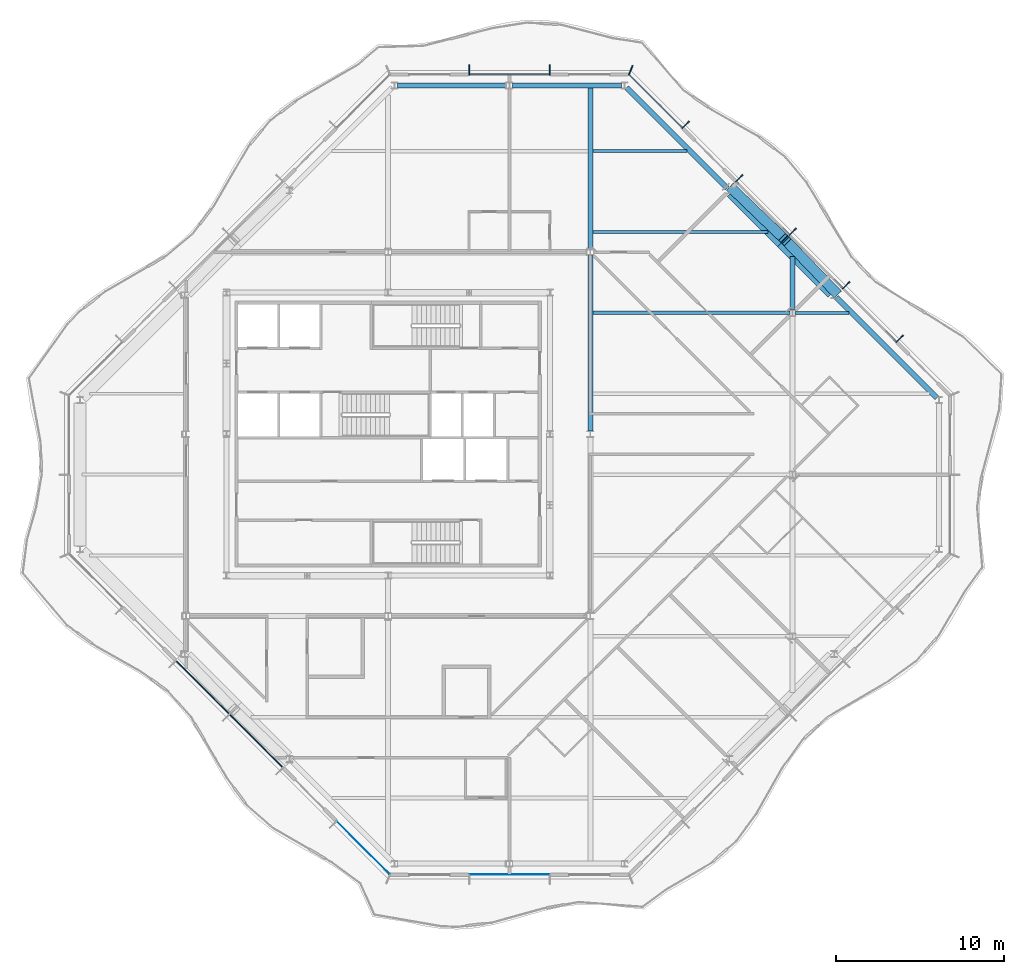
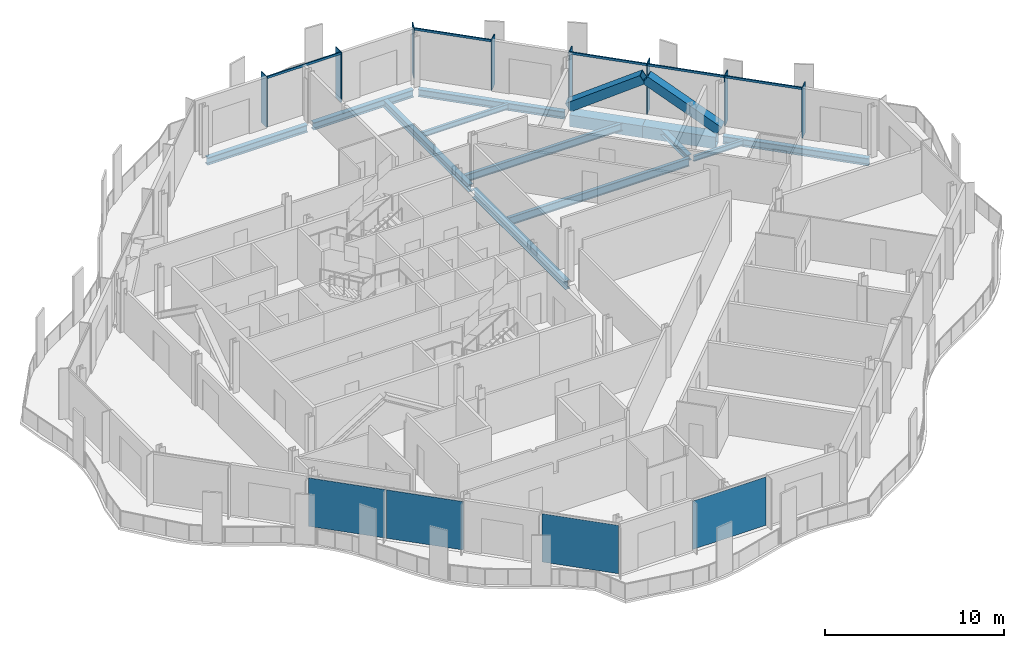
# One storey, part 5 of 17: 15 members, 13 beams, 4 plates, 4 elements without a shape of their own.
"""IFC4 building model written with IfcOpenShell, lengths in metres."""

from ifc_helpers import new_model, si_unit, direction, frame, origin, origin_2d, place, context, subcontext, project, spatial, rectangle, hollow_rectangle, i_section, extrude, material, layer, layer_set, material_profile, profile_set, type_object, element, aggregate, save


model = new_model("IFC4")

# Units and contexts
model_context = context("Model", 3, precision=1e-05, world=origin(), true_north=direction((0.0, 1.0)))
body_context = subcontext(model_context, "Body", "Model", "MODEL_VIEW")
ifc_project = project(units=[si_unit("LENGTHUNIT", "METRE"), si_unit("AREAUNIT", "SQUARE_METRE"), si_unit("VOLUMEUNIT", "CUBIC_METRE"), si_unit("PLANEANGLEUNIT", "RADIAN"), si_unit("MASSUNIT", "GRAM", prefix="KILO")], contexts=[model_context])

# Site, building, storey
site_placement = place(None, origin())
site = spatial("IfcSite", under=ifc_project, at=site_placement, CompositionType="ELEMENT")
building_placement = place(site_placement, origin())
building = spatial("IfcBuilding", under=site, at=building_placement, Name="Cairn Pilgrim Tower", CompositionType="ELEMENT")
storey_placement = place(building_placement, frame((0.0, 0.0, 281.39990234375)))
storey = spatial("IfcBuildingStorey", under=building, at=storey_placement, Name="L72", CompositionType="ELEMENT", Elevation=281.39990234375)

# Members
ifc_material_1 = material(Name="Structural steel S460M", Category="steel")
ifc_material_profile_1 = material_profile(ifc_material_1, hollow_rectangle(XDim=0.60009765625, YDim=0.60009765625, WallThickness=0.034912109375, at=origin_2d()), Name="BOX 600x600x35")
ifc_profile_set_1 = profile_set([ifc_material_profile_1], Name="Structural steel S460M")
member_type_1 = type_object("IfcMemberType", Name="BOX 600x600x35 BRACE", PredefinedType="BRACE", material=ifc_profile_set_1)
member_1_placement = place(storey_placement, frame((33.78759765625, 10.80224609375, 0.150146484375), z_axis=(-0.59145268268, 0.613693939549, 0.523032955665), x_axis=(-0.720033989027, -0.693938797478, 0.0)))
element("IfcMember", 1, at=member_1_placement, inside=storey, type_object=member_type_1, Name="XB-NE2-NE3-1", PredefinedType="BRACE", context=body_context, shape_type="SweptSolid", body=[
    extrude(hollow_rectangle(XDim=0.60009765625, YDim=0.60009765625, WallThickness=0.034912109375, at=origin_2d()), origin(), (0.0, 0.0, 1.0), 5.038330078125),
])
member_2_placement = place(storey_placement, frame((27.602294921875, 16.98779296875, 0.150146484375), z_axis=(0.613676351503, -0.591484186561, 0.5230179659), x_axis=(0.693968270733, 0.720005582767, 0.0)))
element("IfcMember", 2, at=member_2_placement, inside=storey, type_object=member_type_1, Name="XB-NE2-NE3-2", PredefinedType="BRACE", context=body_context, shape_type="SweptSolid", body=[
    extrude(hollow_rectangle(XDim=0.60009765625, YDim=0.60009765625, WallThickness=0.034912109375, at=origin_2d()), origin(), (0.0, 0.0, 1.0), 5.03857421875),
])

# Beams
ifc_material_2 = material(Name="Structural steel S355J2", Category="steel")
ifc_material_profile_2 = material_profile(ifc_material_2, hollow_rectangle(XDim=0.699951171875, YDim=0.800048828125, WallThickness=0.0400390625, at=origin_2d()), Name="BOX 700x800x40")
ifc_profile_set_2 = profile_set([ifc_material_profile_2], Name="Structural steel S355J2")
beam_type_1 = type_object("IfcBeamType", Name="BOX 700x800x40 RING GIRDER", PredefinedType="SPANDREL", material=ifc_profile_set_2)
for number, where, z_axis, x_axis, name in (
    (3, (33.55126953125, 10.77587890625, -0.5498046875), (-0.707077889614, 0.707135671578, 0.0), (-0.707135671578, -0.707077889614, 0.0), "RG4-NE2-NE3-1"),
    (4, (30.563720703125, 13.763671875, -0.5498046875), (-0.707135671578, 0.707077889614, 0.0), (-0.707077889614, -0.707135671578, 0.0), "RG4-NE2-NE3-2"),
):
    element("IfcBeam", number, at=place(storey_placement, frame(where, z_axis=z_axis, x_axis=x_axis)), inside=storey, type_object=beam_type_1, Name=name, PredefinedType="SPANDREL", context=body_context, shape_type="SweptSolid", body=[
        extrude(hollow_rectangle(XDim=0.699951171875, YDim=0.800048828125, WallThickness=0.0400390625, at=origin_2d()), origin(), (0.0, 0.0, 1.0), 4.22509765625),
    ])

# Curtain wall, members
ifc_material_3 = material(Name="Aluminium alloy 6063-T6 bronze anodised with Bronze tinted laminated low-E glass 8+16+8.8", Category="aluminium")
curtain_wall_type = type_object("IfcCurtainWallType", Name="CROWN CURTAIN WALL", PredefinedType="NOTDEFINED", material=ifc_material_3)
curtain_wall_1_placement = place(storey_placement, origin())
curtain_wall_1 = element("IfcCurtainWall", 5, at=curtain_wall_1_placement, inside=storey, type_object=curtain_wall_type, Name="Crown Curtain Wall NE", PredefinedType="NOTDEFINED")
ifc_material_4 = material(Name="Aluminium alloy 6063-T6 bronze anodised", Category="aluminium")
ifc_material_profile_3 = material_profile(ifc_material_4, rectangle(XDim=0.60009765625, YDim=0.06005859375, at=origin_2d()), Name="FIN MULLION 60x600 BRONZE")
ifc_profile_set_3 = profile_set([ifc_material_profile_3], Name="Aluminium alloy 6063-T6 bronze anodised")
member_type_2 = type_object("IfcMemberType", Name="FIN MULLION 60x600 BRONZE", PredefinedType="MULLION", material=ifc_profile_set_3)
member_3_placement = place(storey_placement, frame((37.5654296875, 8.06298828125, 0.0), z_axis=(0.0, 0.0, 1.0), x_axis=(0.707106781187, 0.707106781187, 0.0)))
member_3 = element("IfcMember", 6, at=member_3_placement, type_object=member_type_2, Name="Fin mullion NE2", PredefinedType="MULLION", context=body_context, shape_type="SweptSolid", body=[
    extrude(rectangle(XDim=0.60009765625, YDim=0.06005859375, at=origin_2d()), origin(), (0.0, 0.0, 1.0), 3.4501953125),
])
member_4_placement = place(storey_placement, frame((34.3896484375, 11.238525390625, 0.0), z_axis=(0.0, 0.0, 1.0), x_axis=(0.707106781187, 0.707106781187, 0.0)))
member_4 = element("IfcMember", 7, at=member_4_placement, type_object=member_type_2, Name="Fin mullion NE3", PredefinedType="MULLION", context=body_context, shape_type="SweptSolid", body=[
    extrude(rectangle(XDim=0.60009765625, YDim=0.06005859375, at=origin_2d()), origin(), (0.0, 0.0, 1.0), 3.4501953125),
])
member_5_placement = place(storey_placement, frame((31.214111328125, 14.4140625, 0.0), z_axis=(0.0, 0.0, 1.0), x_axis=(0.707106781187, 0.707106781187, 0.0)))
member_5 = element("IfcMember", 8, at=member_5_placement, type_object=member_type_2, Name="Fin mullion NE4", PredefinedType="MULLION", context=body_context, shape_type="SweptSolid", body=[
    extrude(rectangle(XDim=0.60009765625, YDim=0.06005859375, at=origin_2d()), origin(), (0.0, 0.0, 1.0), 3.4501953125),
])
member_6_placement = place(storey_placement, frame((28.03857421875, 17.58984375, 0.0), z_axis=(0.0, 0.0, 1.0), x_axis=(0.707106781187, 0.707106781187, 0.0)))
member_6 = element("IfcMember", 9, at=member_6_placement, type_object=member_type_2, Name="Fin mullion NE5", PredefinedType="MULLION", context=body_context, shape_type="SweptSolid", body=[
    extrude(rectangle(XDim=0.60009765625, YDim=0.06005859375, at=origin_2d()), origin(), (0.0, 0.0, 1.0), 3.4501953125),
])
member_7_placement = place(storey_placement, frame((24.863037109375, 20.765380859375, 0.0), z_axis=(0.0, 0.0, 1.0), x_axis=(0.707106781187, 0.707106781187, 0.0)))
member_7 = element("IfcMember", 10, at=member_7_placement, type_object=member_type_2, Name="Fin mullion NE6", PredefinedType="MULLION", context=body_context, shape_type="SweptSolid", body=[
    extrude(rectangle(XDim=0.60009765625, YDim=0.06005859375, at=origin_2d()), origin(), (0.0, 0.0, 1.0), 3.4501953125),
])

curtain_wall_2_placement = place(storey_placement, origin())
curtain_wall_2 = element("IfcCurtainWall", 11, at=curtain_wall_2_placement, inside=storey, type_object=curtain_wall_type, Name="Crown Curtain Wall N", PredefinedType="NOTDEFINED")
member_8_placement = place(storey_placement, frame((21.599853515625, 23.99951171875, 0.0), z_axis=(0.0, 0.0, 1.0), x_axis=(0.382683432365, 0.923879532511, 0.0)))
member_8 = element("IfcMember", 12, at=member_8_placement, type_object=member_type_2, Name="Fin mullion N1", PredefinedType="MULLION", context=body_context, shape_type="SweptSolid", body=[
    extrude(rectangle(XDim=0.60009765625, YDim=0.06005859375, at=origin_2d()), origin(), (0.0, 0.0, 1.0), 3.4501953125),
])
member_9_placement = place(storey_placement, frame((16.800048828125, 24.02001953125, 0.0), z_axis=(0.0, 0.0, 1.0), x_axis=(0.0, 1.0, 0.0)))
member_9 = element("IfcMember", 13, at=member_9_placement, type_object=member_type_2, Name="Fin mullion N2", PredefinedType="MULLION", context=body_context, shape_type="SweptSolid", body=[
    extrude(rectangle(XDim=0.60009765625, YDim=0.06005859375, at=origin_2d()), origin(), (0.0, 0.0, 1.0), 3.4501953125),
])
member_10_placement = place(storey_placement, frame((12.0, 24.02001953125, 0.0), z_axis=(0.0, 0.0, 1.0), x_axis=(0.0, 1.0, 0.0)))
member_10 = element("IfcMember", 14, at=member_10_placement, type_object=member_type_2, Name="Fin mullion N3", PredefinedType="MULLION", context=body_context, shape_type="SweptSolid", body=[
    extrude(rectangle(XDim=0.60009765625, YDim=0.06005859375, at=origin_2d()), origin(), (0.0, 0.0, 1.0), 3.4501953125),
])

# Beams
ifc_material_profile_4 = material_profile(ifc_material_2, i_section(OverallWidth=0.300048828125, OverallDepth=0.39990234375, WebThickness=0.013427734375, FlangeThickness=0.02392578125, FilletRadius=0.027099609375, at=origin_2d()), Name="HEB 400")
ifc_profile_set_4 = profile_set([ifc_material_profile_4], Name="Structural steel S355J2")
beam_type_2 = type_object("IfcBeamType", Name="HEB 400 GIRDER", PredefinedType="BEAM", material=ifc_profile_set_4)
beam_1_placement = place(storey_placement, frame((31.199951171875, 9.797119140625, -0.349853515625), z_axis=(0.0, 1.0, 0.0), x_axis=(-1.0, 0.0, 0.0)))
element("IfcBeam", 15, at=beam_1_placement, inside=storey, type_object=beam_type_2, Name="PG5-4", PredefinedType="BEAM", context=body_context, shape_type="SweptSolid", body=[
    extrude(i_section(OverallWidth=0.300048828125, OverallDepth=0.39990234375, WebThickness=0.013427734375, FlangeThickness=0.02392578125, FilletRadius=0.027099609375, at=origin_2d()), origin(), (0.0, 0.0, 1.0), 3.14794921875),
])
ifc_material_profile_5 = material_profile(ifc_material_2, i_section(OverallWidth=0.300048828125, OverallDepth=0.5, WebThickness=0.014404296875, FlangeThickness=0.028076171875, FilletRadius=0.027099609375, at=origin_2d()), Name="HEB 500")
ifc_profile_set_5 = profile_set([ifc_material_profile_5], Name="Structural steel S355J2")
beam_type_3 = type_object("IfcBeamType", Name="HEB 500 GIRDER", PredefinedType="BEAM", material=ifc_profile_set_5)
beam_2_placement = place(storey_placement, frame((19.199951171875, 13.39697265625, -0.39990234375), z_axis=(0.0, 1.0, 0.0), x_axis=(-1.0, 0.0, 0.0)))
element("IfcBeam", 16, at=beam_2_placement, inside=storey, type_object=beam_type_3, Name="PG4-4", PredefinedType="BEAM", context=body_context, shape_type="SweptSolid", body=[
    extrude(i_section(OverallWidth=0.300048828125, OverallDepth=0.5, WebThickness=0.014404296875, FlangeThickness=0.028076171875, FilletRadius=0.027099609375, at=origin_2d()), origin(), (0.0, 0.0, 1.0), 9.5830078125),
])
ifc_material_profile_6 = material_profile(ifc_material_2, i_section(OverallWidth=0.300048828125, OverallDepth=0.5, WebThickness=0.014404296875, FlangeThickness=0.028076171875, FilletRadius=0.027099609375, at=origin_2d()), Name="HEB 500")
ifc_profile_set_6 = profile_set([ifc_material_profile_6], Name="Structural steel S355J2")
beam_type_4 = type_object("IfcBeamType", Name="HEB 500 RING GIRDER", PredefinedType="SPANDREL", material=ifc_profile_set_6)
for number, where, z_axis, x_axis, name in (
    (17, (39.775634765625, 4.551513671875, -0.39990234375), (-0.707092335843, 0.707121226235, 0.0), (-0.707121226235, -0.707092335843, 0.0), "RG4-NE1-NE2"),
    (18, (27.3271484375, 17.000244140625, -0.39990234375), (-0.707121226235, 0.707092335843, 0.0), (-0.707092335843, -0.707121226235, 0.0), "RG4-NE3-N1"),
):
    element("IfcBeam", number, at=place(storey_placement, frame(where, z_axis=z_axis, x_axis=x_axis)), inside=storey, type_object=beam_type_4, Name=name, PredefinedType="SPANDREL", context=body_context, shape_type="SweptSolid", body=[
        extrude(i_section(OverallWidth=0.300048828125, OverallDepth=0.5, WebThickness=0.014404296875, FlangeThickness=0.028076171875, FilletRadius=0.027099609375, at=origin_2d()), origin(), (0.0, 0.0, 1.0), 8.45068359375),
    ])
for number, where, z_axis, x_axis, name in (
    (19, (21.05126953125, 23.10009765625, -0.39990234375), (-1.0, 0.0, 0.0), (0.0, -1.0, 0.0), "RG4-N1-N2"),
    (20, (14.22412109375, 23.10009765625, -0.39990234375), (-1.0, 0.0, 0.0), (0.0, -1.0, 0.0), "RG4-N2-NW1"),
):
    element("IfcBeam", number, at=place(storey_placement, frame(where, z_axis=z_axis, x_axis=x_axis)), inside=storey, type_object=beam_type_4, Name=name, PredefinedType="SPANDREL", context=body_context, shape_type="SweptSolid", body=[
        extrude(i_section(OverallWidth=0.300048828125, OverallDepth=0.5, WebThickness=0.014404296875, FlangeThickness=0.028076171875, FilletRadius=0.027099609375, at=origin_2d()), origin(), (0.0, 0.0, 1.0), 6.475341796875),
    ])
ifc_material_profile_7 = material_profile(ifc_material_2, i_section(OverallWidth=0.300048828125, OverallDepth=0.60009765625, WebThickness=0.015380859375, FlangeThickness=0.030029296875, FilletRadius=0.027099609375, at=origin_2d()), Name="HEB 600")
ifc_profile_set_7 = profile_set([ifc_material_profile_7], Name="Structural steel S355J2")
beam_type_5 = type_object("IfcBeamType", Name="HEB 600 GIRDER", PredefinedType="BEAM", material=ifc_profile_set_7)
beam_3_placement = place(storey_placement, frame((19.199951171875, 2.596923828125, -0.449951171875), z_axis=(0.0, 1.0, 0.0), x_axis=(-1.0, 0.0, 0.0)))
element("IfcBeam", 21, at=beam_3_placement, inside=storey, type_object=beam_type_5, Name="PG4-3", PredefinedType="BEAM", context=body_context, shape_type="SweptSolid", body=[
    extrude(i_section(OverallWidth=0.300048828125, OverallDepth=0.60009765625, WebThickness=0.015380859375, FlangeThickness=0.030029296875, FilletRadius=0.027099609375, at=origin_2d()), origin(), (0.0, 0.0, 1.0), 10.406005859375),
])
ifc_material_profile_8 = material_profile(ifc_material_2, i_section(OverallWidth=0.169921875, OverallDepth=0.360107421875, WebThickness=0.008056640625, FlangeThickness=0.0126953125, FilletRadius=0.01806640625, at=origin_2d()), Name="IPE 360")
ifc_profile_set_8 = profile_set([ifc_material_profile_8], Name="Structural steel S355J2")
beam_type_6 = type_object("IfcBeamType", Name="IPE 360 SECONDARY BEAM", PredefinedType="JOIST", material=ifc_profile_set_8)
beam_4_placement = place(storey_placement, frame((31.35009765625, 9.60009765625, -0.329833984375), z_axis=(1.0, 0.0, 0.0), x_axis=(0.0, 1.0, 0.0)))
element("IfcBeam", 22, at=beam_4_placement, inside=storey, type_object=beam_type_6, Name="SB7-2", PredefinedType="JOIST", context=body_context, shape_type="SweptSolid", body=[
    extrude(i_section(OverallWidth=0.169921875, OverallDepth=0.360107421875, WebThickness=0.008056640625, FlangeThickness=0.0126953125, FilletRadius=0.01806640625, at=origin_2d()), origin(), (0.0, 0.0, 1.0), 3.195068359375),
])
beam_5_placement = place(storey_placement, frame((19.35009765625, 19.199951171875, -0.329833984375), z_axis=(1.0, 0.0, 0.0), x_axis=(0.0, 1.0, 0.0)))
element("IfcBeam", 23, at=beam_5_placement, inside=storey, type_object=beam_type_6, Name="SB9-3", PredefinedType="JOIST", context=body_context, shape_type="SweptSolid", body=[
    extrude(i_section(OverallWidth=0.169921875, OverallDepth=0.360107421875, WebThickness=0.008056640625, FlangeThickness=0.0126953125, FilletRadius=0.01806640625, at=origin_2d()), origin(), (0.0, 0.0, 1.0), 5.594970703125),
])
ifc_material_profile_9 = material_profile(ifc_material_2, i_section(OverallWidth=0.199951171875, OverallDepth=0.5, WebThickness=0.01025390625, FlangeThickness=0.01611328125, FilletRadius=0.02099609375, at=origin_2d()), Name="IPE 500")
ifc_profile_set_9 = profile_set([ifc_material_profile_9], Name="Structural steel S355J2")
beam_type_7 = type_object("IfcBeamType", Name="IPE 500 SECONDARY BEAM", PredefinedType="JOIST", material=ifc_profile_set_9)
beam_6_placement = place(storey_placement, frame((19.35009765625, 14.39990234375, -0.39990234375), z_axis=(1.0, 0.0, 0.0), x_axis=(0.0, 1.0, 0.0)))
element("IfcBeam", 24, at=beam_6_placement, inside=storey, type_object=beam_type_7, Name="SB8-1", PredefinedType="JOIST", context=body_context, shape_type="SweptSolid", body=[
    extrude(i_section(OverallWidth=0.199951171875, OverallDepth=0.5, WebThickness=0.01025390625, FlangeThickness=0.01611328125, FilletRadius=0.02099609375, at=origin_2d()), origin(), (0.0, 0.0, 1.0), 10.39501953125),
])
ifc_material_profile_10 = material_profile(ifc_material_2, i_section(OverallWidth=0.2099609375, OverallDepth=0.550048828125, WebThickness=0.010986328125, FlangeThickness=0.01708984375, FilletRadius=0.02392578125, at=origin_2d()), Name="IPE 550")
ifc_profile_set_10 = profile_set([ifc_material_profile_10], Name="Structural steel S355J2")
beam_type_8 = type_object("IfcBeamType", Name="IPE 550 SECONDARY BEAM", PredefinedType="JOIST", material=ifc_profile_set_10)
beam_7_placement = place(storey_placement, frame((19.35009765625, 9.60009765625, -0.4248046875), z_axis=(1.0, 0.0, 0.0), x_axis=(0.0, 1.0, 0.0)))
element("IfcBeam", 25, at=beam_7_placement, inside=storey, type_object=beam_type_8, Name="SB7-1", PredefinedType="JOIST", context=body_context, shape_type="SweptSolid", body=[
    extrude(i_section(OverallWidth=0.2099609375, OverallDepth=0.550048828125, WebThickness=0.010986328125, FlangeThickness=0.01708984375, FilletRadius=0.02392578125, at=origin_2d()), origin(), (0.0, 0.0, 1.0), 11.699951171875),
])

# Member
ifc_material_profile_11 = material_profile(ifc_material_4, rectangle(XDim=0.080078125, YDim=0.14990234375, at=origin_2d()), Name="TRANSOM 80x150 BRONZE")
ifc_profile_set_11 = profile_set([ifc_material_profile_11], Name="Aluminium alloy 6063-T6 bronze anodised")
member_type_3 = type_object("IfcMemberType", Name="TRANSOM 80x150 BRONZE", PredefinedType="USERDEFINED", material=ifc_profile_set_11)
member_11_placement = place(storey_placement, frame((37.353271484375, 7.893310546875, 3.375), z_axis=(-0.707134329907, 0.707079231393, 0.0), x_axis=(-0.707079231393, -0.707134329907, 0.0)))
member_11 = element("IfcMember", 26, at=member_11_placement, type_object=member_type_3, Name="Transom NE2", ObjectType="TRANSOM", PredefinedType="USERDEFINED", context=body_context, shape_type="SweptSolid", body=[
    extrude(rectangle(XDim=0.080078125, YDim=0.14990234375, at=origin_2d()), origin(), (0.0, 0.0, 1.0), 4.430908203125),
])

member_12_placement = place(storey_placement, frame((34.177490234375, 11.06884765625, 3.375), z_axis=(-0.707106781187, 0.707106781187, 0.0), x_axis=(-0.707106781187, -0.707106781187, 0.0)))
member_12 = element("IfcMember", 27, at=member_12_placement, type_object=member_type_3, Name="Transom NE3", ObjectType="TRANSOM", PredefinedType="USERDEFINED", context=body_context, shape_type="SweptSolid", body=[
    extrude(rectangle(XDim=0.080078125, YDim=0.14990234375, at=origin_2d()), origin(), (0.0, 0.0, 1.0), 4.430908203125),
])

member_13_placement = place(storey_placement, frame((31.001953125, 14.244384765625, 3.375), z_axis=(-0.707079231393, 0.707134329907, 0.0), x_axis=(-0.707134329907, -0.707079231393, 0.0)))
member_13 = element("IfcMember", 28, at=member_13_placement, type_object=member_type_3, Name="Transom NE4", ObjectType="TRANSOM", PredefinedType="USERDEFINED", context=body_context, shape_type="SweptSolid", body=[
    extrude(rectangle(XDim=0.080078125, YDim=0.14990234375, at=origin_2d()), origin(), (0.0, 0.0, 1.0), 4.430908203125),
])

member_14_placement = place(storey_placement, frame((24.65087890625, 20.595703125, 3.375), z_axis=(-0.707134392299, 0.707079168996, 0.0), x_axis=(-0.707079168996, -0.707134392299, 0.0)))
member_14 = element("IfcMember", 29, at=member_14_placement, type_object=member_type_3, Name="Transom NE6", ObjectType="TRANSOM", PredefinedType="USERDEFINED", context=body_context, shape_type="SweptSolid", body=[
    extrude(rectangle(XDim=0.080078125, YDim=0.14990234375, at=origin_2d()), origin(), (0.0, 0.0, 1.0), 4.4208984375),
])

aggregate(curtain_wall_1, [member_3, member_4, member_5, member_6, member_7, member_11, member_12, member_13, member_14])

member_15_placement = place(storey_placement, frame((16.77001953125, 23.75, 3.375), z_axis=(-1.0, 0.0, 0.0), x_axis=(0.0, -1.0, 0.0)))
member_15 = element("IfcMember", 30, at=member_15_placement, type_object=member_type_3, Name="Transom N2", ObjectType="TRANSOM", PredefinedType="USERDEFINED", context=body_context, shape_type="SweptSolid", body=[
    extrude(rectangle(XDim=0.080078125, YDim=0.14990234375, at=origin_2d()), origin(), (0.0, 0.0, 1.0), 4.739990234375),
])

aggregate(curtain_wall_2, [member_8, member_9, member_10, member_15])

# Curtain wall, plates
curtain_wall_3_placement = place(storey_placement, origin())
curtain_wall_3 = element("IfcCurtainWall", 31, at=curtain_wall_3_placement, inside=storey, type_object=curtain_wall_type, Name="Crown Curtain Wall SW", PredefinedType="NOTDEFINED")
ifc_material_5 = material(Name="Bronze anodised aluminium spandrel panel with mineral wool insulation", Category="aluminium")
ifc_layer_1 = layer(ifc_material_5, 0.06005859375)
ifc_layer_set_1 = layer_set([ifc_layer_1], Name="SPANDREL PANEL 4431x3300")
plate_type_1 = type_object("IfcPlateType", Name="SPANDREL PANEL 4431x3300", PredefinedType="CURTAIN_PANEL", material=ifc_layer_set_1)
plate_1_placement = place(storey_placement, frame((-3.81103515625, -12.635498046875, 0.0), z_axis=(0.0, 0.0, 1.0), x_axis=(0.707106781187, -0.707106781187, 0.0)))
plate_1 = element("IfcPlate", 32, at=plate_1_placement, type_object=plate_type_1, Name="Spandrel Panel SW3-1", PredefinedType="CURTAIN_PANEL", context=body_context, shape_type="SweptSolid", body=[
    extrude(rectangle(XDim=4.430908203125, YDim=0.06005859375, at=origin_2d()), origin(), (0.0, 0.0, 1.0), 3.300048828125),
])
plate_2_placement = place(storey_placement, frame((-0.635498046875, -15.81103515625, 0.0), z_axis=(0.0, 0.0, 1.0), x_axis=(0.707106781187, -0.707106781187, 0.0)))
plate_2 = element("IfcPlate", 33, at=plate_2_placement, type_object=plate_type_1, Name="Spandrel Panel SW4-1", PredefinedType="CURTAIN_PANEL", context=body_context, shape_type="SweptSolid", body=[
    extrude(rectangle(XDim=4.430908203125, YDim=0.06005859375, at=origin_2d()), origin(), (0.0, 0.0, 1.0), 3.300048828125),
])
ifc_material_6 = material(Name="Bronze tinted laminated low-E glass 8+16+8.8", Category="glass")
ifc_layer_2 = layer(ifc_material_6, 0.033935546875)
ifc_layer_set_2 = layer_set([ifc_layer_2], Name="VISION GLAZING 4421x3300")
plate_type_2 = type_object("IfcPlateType", Name="VISION GLAZING 4421x3300", PredefinedType="CURTAIN_PANEL", material=ifc_layer_set_2)
plate_3_placement = place(storey_placement, frame((5.712158203125, -22.15869140625, 0.0), z_axis=(0.0, 0.0, 1.0), x_axis=(0.707106781187, -0.707106781187, 0.0)))
plate_3 = element("IfcPlate", 34, at=plate_3_placement, type_object=plate_type_2, Name="Vision Glazing SW6-1", PredefinedType="CURTAIN_PANEL", context=body_context, shape_type="SweptSolid", body=[
    extrude(rectangle(XDim=4.4208984375, YDim=0.033935546875, at=origin_2d()), origin(), (0.0, 0.0, 1.0), 3.300048828125),
])
aggregate(curtain_wall_3, [plate_1, plate_2, plate_3])

# Curtain wall, plate
curtain_wall_4_placement = place(storey_placement, origin())
curtain_wall_4 = element("IfcCurtainWall", 35, at=curtain_wall_4_placement, inside=storey, type_object=curtain_wall_type, Name="Crown Curtain Wall S", PredefinedType="NOTDEFINED")
ifc_layer_3 = layer(ifc_material_6, 0.033935546875)
ifc_layer_set_3 = layer_set([ifc_layer_3], Name="VISION GLAZING 4740x3300")
plate_type_3 = type_object("IfcPlateType", Name="VISION GLAZING 4740x3300", PredefinedType="CURTAIN_PANEL", material=ifc_layer_set_3)
plate_4_placement = place(storey_placement, frame((14.39990234375, -23.75, 0.0), z_axis=(0.0, 0.0, 1.0), x_axis=(1.0, 0.0, 0.0)))
plate_4 = element("IfcPlate", 36, at=plate_4_placement, type_object=plate_type_3, Name="Vision Glazing S2-1", PredefinedType="CURTAIN_PANEL", context=body_context, shape_type="SweptSolid", body=[
    extrude(rectangle(XDim=4.739990234375, YDim=0.033935546875, at=origin_2d()), origin(), (0.0, 0.0, 1.0), 3.300048828125),
])
aggregate(curtain_wall_4, [plate_4])

save(model, "model.ifc")
